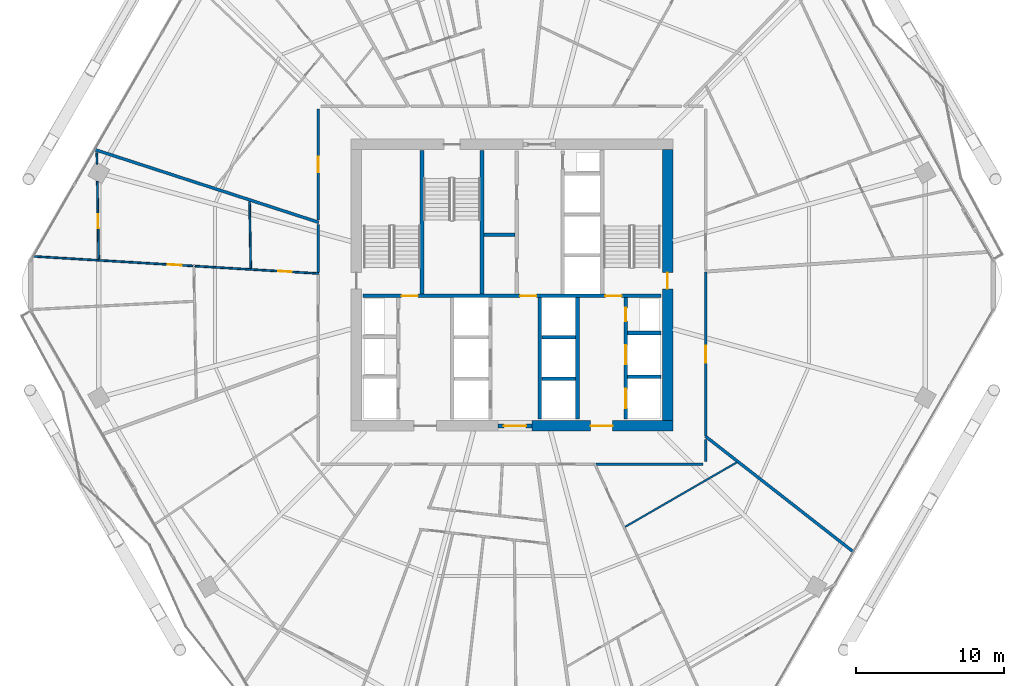
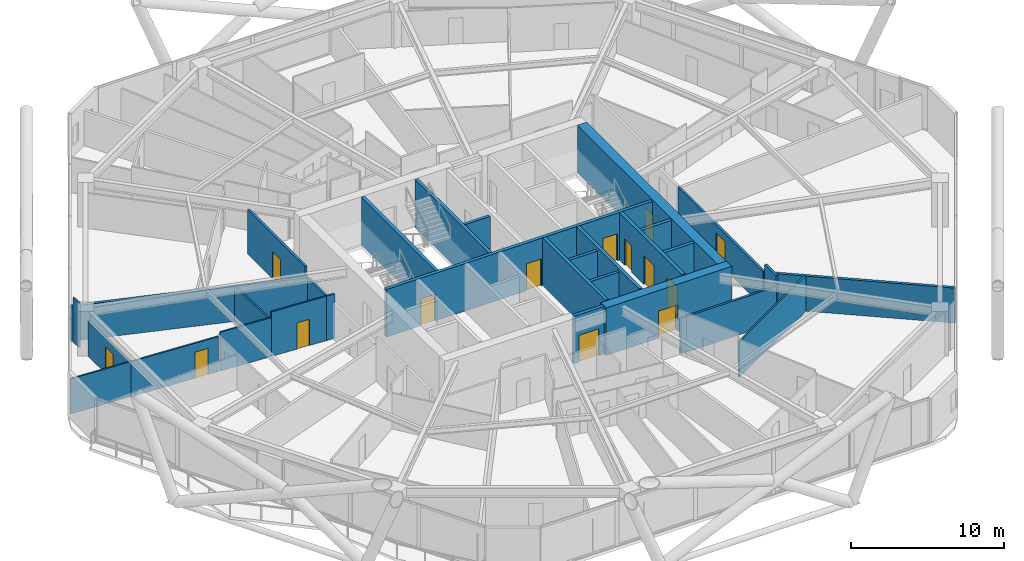
# One storey, part 28 of 34: 30 walls, 14 doors, 14 openings.
"""IFC4 building model written with IfcOpenShell, lengths in metres."""

from ifc_helpers import new_model, si_unit, direction, frame, frame_2d, origin, place, context, subcontext, project, spatial, rectangle, extrude, material, layer, layer_set, type_object, element, fill, save


model = new_model("IFC4")

# Units and contexts
model_context = context("Model", 3, precision=1e-05, world=origin(), true_north=direction((0.0, 1.0)))
body_context = subcontext(model_context, "Body", "Model", "MODEL_VIEW")
ifc_project = project(units=[si_unit("LENGTHUNIT", "METRE"), si_unit("AREAUNIT", "SQUARE_METRE"), si_unit("VOLUMEUNIT", "CUBIC_METRE"), si_unit("PLANEANGLEUNIT", "RADIAN"), si_unit("MASSUNIT", "GRAM", prefix="KILO")], contexts=[model_context])

# Site, building, storey
site_placement = place(None, origin())
site = spatial("IfcSite", under=ifc_project, at=site_placement, CompositionType="ELEMENT")
building_placement = place(site_placement, origin())
building = spatial("IfcBuilding", under=site, at=building_placement, Name="Zuhravey Tower", CompositionType="ELEMENT")
storey_placement = place(building_placement, frame((0.0, 0.0, 100.0)))
storey = spatial("IfcBuildingStorey", under=building, at=storey_placement, Name="L24", CompositionType="ELEMENT", Elevation=100.0)

# Wall, opening, door
ifc_material_1 = material(Name="Concrete C60/75", Category="concrete")
ifc_layer_1 = layer(ifc_material_1, 0.699951171875)
ifc_layer_set_1 = layer_set([ifc_layer_1], Name="Concrete C60/75")
wall_type_1 = type_object("IfcWallType", Name="Core Shear Wall 700", PredefinedType="SHEAR", material=ifc_layer_set_1)
wall_1_placement = place(storey_placement, frame((37.35009765625, 22.5, 0.0), z_axis=(0.0, 0.0, 1.0), x_axis=(1.0, 0.0, 0.0)))
wall_1 = element("IfcWall", 1, at=wall_1_placement, inside=storey, type_object=wall_type_1, Name="L24 South-East Core Shear Wall CW70", PredefinedType="SHEAR", context=body_context, shape_type="SweptSolid", body=[
    extrude(rectangle(XDim=9.5, YDim=0.699951171875, at=frame_2d((4.75, 0.0))), origin(), (0.0, 0.0, 1.0), 3.800048828125),
])
opening_1_placement = place(wall_1_placement, frame((3.949951171875, 0.0, 0.0)))
opening_1 = element("IfcOpeningElement", 2, at=opening_1_placement, cuts=wall_1, Name="Opening FFD1", PredefinedType="OPENING", context=body_context, shape_type="SweptSolid", body=[
    extrude(rectangle(XDim=1.5, YDim=2.14990234375, at=frame_2d((0.75, 1.074951171875))), frame((0.0, 0.362060546875, 0.0), z_axis=(0.0, -1.0, 0.0), x_axis=(1.0, 0.0, 0.0)), (0.0, 0.0, 1.0), 0.723876953125),
])
ifc_material_2 = material(Name="Galvanised fire-rated steel leaf", Category="steel")
door_type_1 = type_object("IfcDoorType", Name="Firefighting Lobby Double Door 1500x2150", OperationType="DOUBLE_DOOR_SINGLE_SWING", PredefinedType="DOOR", material=ifc_material_2)
door_1_placement = place(opening_1_placement, origin())
door_1 = element("IfcDoor", 3, at=door_1_placement, inside=storey, type_object=door_type_1, Name="L24 Firefighting Lobby East Door", OperationType="DOUBLE_DOOR_SINGLE_SWING", OverallHeight=2.14990234375, OverallWidth=1.5, PredefinedType="DOOR", context=body_context, shape_type="SweptSolid", body=[
    extrude(rectangle(XDim=1.5, YDim=2.14990234375, at=frame_2d((0.75, 1.074951171875))), frame((0.0, 0.02490234375, 0.0), z_axis=(0.0, -1.0, 0.0), x_axis=(1.0, 0.0, 0.0)), (0.0, 0.0, 1.0), 0.050048828125),
])
fill(opening_1, door_1)

wall_2_placement = place(storey_placement, frame((46.5, 22.85009765625, 0.0), z_axis=(0.0, 0.0, 1.0), x_axis=(0.0, 1.0, 0.0)))
wall_2 = element("IfcWall", 4, at=wall_2_placement, inside=storey, type_object=wall_type_1, Name="L24 East Core Shear Wall CW70", PredefinedType="SHEAR", context=body_context, shape_type="SweptSolid", body=[
    extrude(rectangle(XDim=18.2998046875, YDim=0.699951171875, at=frame_2d((9.14990234375, 0.0))), origin(), (0.0, 0.0, 1.0), 3.800048828125),
])
opening_2_placement = place(wall_2_placement, frame((8.89990234375, 0.0, 0.0)))
opening_2 = element("IfcOpeningElement", 5, at=opening_2_placement, cuts=wall_2, Name="Opening STD1", PredefinedType="OPENING", context=body_context, shape_type="SweptSolid", body=[
    extrude(rectangle(XDim=1.10009765625, YDim=2.14990234375, at=frame_2d((0.550048828125, 1.074951171875))), frame((0.0, 0.362060546875, 0.0), z_axis=(0.0, -1.0, 0.0), x_axis=(1.0, 0.0, 0.0)), (0.0, 0.0, 1.0), 0.723876953125),
])
door_type_2 = type_object("IfcDoorType", Name="Protected Stair Fire Door 1100x2150", OperationType="NOTDEFINED", PredefinedType="USERDEFINED", material=ifc_material_2)
door_2_placement = place(opening_2_placement, origin())
door_2 = element("IfcDoor", 6, at=door_2_placement, inside=storey, type_object=door_type_2, Name="L24 Stair ST2 Door", ObjectType="EXITDOOR", OperationType="SINGLE_SWING_LEFT", OverallHeight=2.14990234375, OverallWidth=1.10009765625, PredefinedType="USERDEFINED", context=body_context, shape_type="SweptSolid", body=[
    extrude(rectangle(XDim=1.10009765625, YDim=2.14990234375, at=frame_2d((0.550048828125, 1.074951171875))), frame((0.0, 0.02490234375, 0.0), z_axis=(0.0, -1.0, 0.0), x_axis=(1.0, 0.0, 0.0)), (0.0, 0.0, 1.0), 0.050048828125),
])
fill(opening_2, door_2)

ifc_material_3 = material(Name="Gypsum fire-rated stud partition")
ifc_layer_2 = layer(ifc_material_3, 0.159912109375)
ifc_layer_set_2 = layer_set([ifc_layer_2], Name="Gypsum fire-rated stud partition")
wall_type_2 = type_object("IfcWallType", Name="Corridor Fire Partition 160", PredefinedType="PARTITIONING", material=ifc_layer_set_2)
wall_3_placement = place(storey_placement, frame((22.919921875, 43.89990234375, 0.0), z_axis=(0.0, 0.0, 1.0), x_axis=(0.0, -1.0, 0.0)))
wall_3 = element("IfcWall", 7, at=wall_3_placement, inside=storey, type_object=wall_type_2, Name="L24 IW16 Partition 040", PredefinedType="PARTITIONING", context=body_context, shape_type="SweptSolid", body=[
    extrude(rectangle(XDim=7.502197265625, YDim=0.159912109375, at=frame_2d((3.7509765625, 0.0))), origin(), (0.0, 0.0, 1.0), 3.550048828125),
])
opening_3_placement = place(wall_3_placement, frame((3.226318359375, 0.0, 0.0)))
opening_3 = element("IfcOpeningElement", 8, at=opening_3_placement, cuts=wall_3, Name="Opening APD1", PredefinedType="OPENING", context=body_context, shape_type="SweptSolid", body=[
    extrude(rectangle(XDim=1.050048828125, YDim=2.14990234375, at=frame_2d((0.52490234375, 1.074951171875))), frame((0.0, 0.092041015625, 0.0), z_axis=(0.0, -1.0, 0.0), x_axis=(1.0, 0.0, 0.0)), (0.0, 0.0, 1.0), 0.183837890625),
])
ifc_material_4 = material(Name="Solid-core oak fire-rated leaf")
door_type_3 = type_object("IfcDoorType", Name="Apartment Entrance Fire Door 1050x2150", OperationType="NOTDEFINED", PredefinedType="DOOR", material=ifc_material_4)
door_3_placement = place(opening_3_placement, frame((1.050048828125, 0.0, 0.0), z_axis=(0.0, 0.0, 1.0), x_axis=(-1.0, 0.0, 0.0)))
door_3 = element("IfcDoor", 9, at=door_3_placement, inside=storey, type_object=door_type_3, Name="L24 Door 040.1", OperationType="SINGLE_SWING_RIGHT", OverallHeight=2.14990234375, OverallWidth=1.050048828125, PredefinedType="DOOR", context=body_context, shape_type="SweptSolid", body=[
    extrude(rectangle(XDim=1.050048828125, YDim=2.14990234375, at=frame_2d((0.52490234375, 1.074951171875))), frame((0.0, 0.02490234375, 0.0), z_axis=(0.0, -1.0, 0.0), x_axis=(1.0, 0.0, 0.0)), (0.0, 0.0, 1.0), 0.050048828125),
])
fill(opening_3, door_3)

wall_4_placement = place(storey_placement, frame((49.080078125, 21.80615234375, 0.0), z_axis=(0.0, 0.0, 1.0), x_axis=(0.0, 1.0, 0.0)))
wall_4 = element("IfcWall", 10, at=wall_4_placement, inside=storey, type_object=wall_type_2, Name="L24 IW16 Partition 061", PredefinedType="PARTITIONING", context=body_context, shape_type="SweptSolid", body=[
    extrude(rectangle(XDim=11.08837890625, YDim=0.159912109375, at=frame_2d((5.544189453125, 0.0))), origin(), (0.0, 0.0, 1.0), 2.85009765625),
])
opening_4_placement = place(wall_4_placement, frame((4.96923828125, 0.0, 0.0)))
opening_4 = element("IfcOpeningElement", 11, at=opening_4_placement, cuts=wall_4, Name="Opening CLD1", PredefinedType="OPENING", context=body_context, shape_type="SweptSolid", body=[
    extrude(rectangle(XDim=1.14990234375, YDim=2.199951171875, at=frame_2d((0.574951171875, 1.10009765625))), frame((0.0, 0.092041015625, 0.0), z_axis=(0.0, -1.0, 0.0), x_axis=(1.0, 0.0, 0.0)), (0.0, 0.0, 1.0), 0.183837890625),
])
ifc_material_5 = material(Name="Acoustic timber leaf with vision lite", Category="wood")
door_type_4 = type_object("IfcDoorType", Name="Classroom Acoustic Door 1150x2200", OperationType="NOTDEFINED", PredefinedType="DOOR", material=ifc_material_5)
door_4_placement = place(opening_4_placement, frame((1.14990234375, 0.0, 0.0), z_axis=(0.0, 0.0, 1.0), x_axis=(-1.0, 0.0, 0.0)))
door_4 = element("IfcDoor", 12, at=door_4_placement, inside=storey, type_object=door_type_4, Name="L24 Door 061.1", OperationType="SINGLE_SWING_LEFT", OverallHeight=2.199951171875, OverallWidth=1.14990234375, PredefinedType="DOOR", context=body_context, shape_type="SweptSolid", body=[
    extrude(rectangle(XDim=1.14990234375, YDim=2.199951171875, at=frame_2d((0.574951171875, 1.10009765625))), frame((0.0, 0.02490234375, 0.0), z_axis=(0.0, -1.0, 0.0), x_axis=(1.0, 0.0, 0.0)), (0.0, 0.0, 1.0), 0.050048828125),
])
fill(opening_4, door_4)

# Walls
wall_5_placement = place(storey_placement, frame((22.919921875, 36.10302734375, 0.0), z_axis=(0.0, 0.0, 1.0), x_axis=(0.0, -1.0, 0.0)))
element("IfcWall", 13, at=wall_5_placement, inside=storey, type_object=wall_type_2, Name="L24 IW16 Partition 126", PredefinedType="PARTITIONING", context=body_context, shape_type="SweptSolid", body=[
    extrude(rectangle(XDim=3.24853515625, YDim=0.159912109375, at=frame_2d((1.624267578125, 0.0))), origin(), (0.0, 0.0, 1.0), 2.85009765625),
])
wall_6_placement = place(storey_placement, frame((41.6669921875, 19.919921875, 0.0), z_axis=(0.0, 0.0, 1.0), x_axis=(1.0, 0.0, 0.0)))
element("IfcWall", 14, at=wall_6_placement, inside=storey, type_object=wall_type_2, Name="L24 IW16 Partition 131", PredefinedType="PARTITIONING", context=body_context, shape_type="SweptSolid", body=[
    extrude(rectangle(XDim=7.23291015625, YDim=0.159912109375, at=frame_2d((3.616455078125, 0.0))), origin(), (0.0, 0.0, 1.0), 2.85009765625),
])
wall_7_placement = place(storey_placement, frame((49.080078125, 20.10009765625, 0.0), z_axis=(0.0, 0.0, 1.0), x_axis=(0.0, 1.0, 0.0)))
element("IfcWall", 15, at=wall_7_placement, inside=storey, type_object=wall_type_2, Name="L24 IW16 Partition 132", PredefinedType="PARTITIONING", context=body_context, shape_type="SweptSolid", body=[
    extrude(rectangle(XDim=1.469970703125, YDim=0.159912109375, at=frame_2d((0.73486328125, 0.0))), origin(), (0.0, 0.0, 1.0), 3.550048828125),
])

# Wall, opening, door
ifc_material_6 = material(Name="Concrete C50/60", Category="concrete")
ifc_layer_3 = layer(ifc_material_6, 0.25)
ifc_layer_set_3 = layer_set([ifc_layer_3], Name="Concrete C50/60")
wall_type_3 = type_object("IfcWallType", Name="Firefighting Shaft & Stair Wall 250", PredefinedType="SOLIDWALL", material=ifc_layer_set_3)
wall_8_placement = place(storey_placement, frame((35.06005859375, 22.5, 0.0), z_axis=(0.0, 0.0, 1.0), x_axis=(1.0, 0.0, 0.0)))
wall_8 = element("IfcWall", 16, at=wall_8_placement, inside=storey, type_object=wall_type_3, Name="L24 FW25 Shaft Wall 001", PredefinedType="SOLIDWALL", context=body_context, shape_type="SweptSolid", body=[
    extrude(rectangle(XDim=2.280029296875, YDim=0.25, at=frame_2d((1.14013671875, 0.0))), origin(), (0.0, 0.0, 1.0), 3.800048828125),
])
opening_5_placement = place(wall_8_placement, frame((0.389892578125, 0.0, 0.0)))
opening_5 = element("IfcOpeningElement", 17, at=opening_5_placement, cuts=wall_8, Name="Opening FFD1", PredefinedType="OPENING", context=body_context, shape_type="SweptSolid", body=[
    extrude(rectangle(XDim=1.5, YDim=2.14990234375, at=frame_2d((0.75, 1.074951171875))), frame((0.0, 0.136962890625, 0.0), z_axis=(0.0, -1.0, 0.0), x_axis=(1.0, 0.0, 0.0)), (0.0, 0.0, 1.0), 0.27392578125),
])
door_5_placement = place(opening_5_placement, frame((1.5, 0.0, 0.0), z_axis=(0.0, 0.0, 1.0), x_axis=(-1.0, 0.0, 0.0)))
door_5 = element("IfcDoor", 18, at=door_5_placement, inside=storey, type_object=door_type_1, Name="L24 South Lift Lobby Exit Door", OperationType="DOUBLE_DOOR_SINGLE_SWING", OverallHeight=2.14990234375, OverallWidth=1.5, PredefinedType="DOOR", context=body_context, shape_type="SweptSolid", body=[
    extrude(rectangle(XDim=1.5, YDim=2.14990234375, at=frame_2d((0.75, 1.074951171875))), frame((0.0, 0.02490234375, 0.0), z_axis=(0.0, -1.0, 0.0), x_axis=(1.0, 0.0, 0.0)), (0.0, 0.0, 1.0), 0.050048828125),
])
fill(opening_5, door_5)

# Wall, openings, doors
wall_9_placement = place(storey_placement, frame((25.949951171875, 31.27490234375, 0.0), z_axis=(0.0, 0.0, 1.0), x_axis=(1.0, 0.0, 0.0)))
wall_9 = element("IfcWall", 19, at=wall_9_placement, inside=storey, type_object=wall_type_3, Name="L24 FW25 Shaft Wall 003", PredefinedType="SOLIDWALL", context=body_context, shape_type="SweptSolid", body=[
    extrude(rectangle(XDim=20.10009765625, YDim=0.25, at=frame_2d((10.050048828125, 0.0))), origin(), (0.0, 0.0, 1.0), 3.800048828125),
])
opening_6_placement = place(wall_9_placement, frame((2.60009765625, 0.0, 0.0)))
opening_6 = element("IfcOpeningElement", 20, at=opening_6_placement, cuts=wall_9, Name="Opening STD1", PredefinedType="OPENING", context=body_context, shape_type="SweptSolid", body=[
    extrude(rectangle(XDim=1.10009765625, YDim=2.14990234375, at=frame_2d((0.550048828125, 1.074951171875))), frame((0.0, 0.136962890625, 0.0), z_axis=(0.0, -1.0, 0.0), x_axis=(1.0, 0.0, 0.0)), (0.0, 0.0, 1.0), 0.27392578125),
])
opening_7_placement = place(wall_9_placement, frame((10.60009765625, 0.0, 0.0)))
opening_7 = element("IfcOpeningElement", 21, at=opening_7_placement, cuts=wall_9, Name="Opening STD1", PredefinedType="OPENING", context=body_context, shape_type="SweptSolid", body=[
    extrude(rectangle(XDim=1.10009765625, YDim=2.14990234375, at=frame_2d((0.550048828125, 1.074951171875))), frame((0.0, 0.136962890625, 0.0), z_axis=(0.0, -1.0, 0.0), x_axis=(1.0, 0.0, 0.0)), (0.0, 0.0, 1.0), 0.27392578125),
])
opening_8_placement = place(wall_9_placement, frame((16.35009765625, 0.0, 0.0)))
opening_8 = element("IfcOpeningElement", 22, at=opening_8_placement, cuts=wall_9, Name="Opening STD1", PredefinedType="OPENING", context=body_context, shape_type="SweptSolid", body=[
    extrude(rectangle(XDim=1.10009765625, YDim=2.14990234375, at=frame_2d((0.550048828125, 1.074951171875))), frame((0.0, 0.136962890625, 0.0), z_axis=(0.0, -1.0, 0.0), x_axis=(1.0, 0.0, 0.0)), (0.0, 0.0, 1.0), 0.27392578125),
])
door_6_placement = place(opening_6_placement, origin())
door_6 = element("IfcDoor", 23, at=door_6_placement, inside=storey, type_object=door_type_2, Name="L24 FFL-W to ST1 Door", ObjectType="EXITDOOR", OperationType="SINGLE_SWING_LEFT", OverallHeight=2.14990234375, OverallWidth=1.10009765625, PredefinedType="USERDEFINED", context=body_context, shape_type="SweptSolid", body=[
    extrude(rectangle(XDim=1.10009765625, YDim=2.14990234375, at=frame_2d((0.550048828125, 1.074951171875))), frame((0.0, 0.02490234375, 0.0), z_axis=(0.0, -1.0, 0.0), x_axis=(1.0, 0.0, 0.0)), (0.0, 0.0, 1.0), 0.050048828125),
])
fill(opening_6, door_6)
door_7_placement = place(opening_7_placement, origin())
door_7 = element("IfcDoor", 24, at=door_7_placement, inside=storey, type_object=door_type_2, Name="L24 Core Lobby Link Door", ObjectType="EXITDOOR", OperationType="SINGLE_SWING_RIGHT", OverallHeight=2.14990234375, OverallWidth=1.10009765625, PredefinedType="USERDEFINED", context=body_context, shape_type="SweptSolid", body=[
    extrude(rectangle(XDim=1.10009765625, YDim=2.14990234375, at=frame_2d((0.550048828125, 1.074951171875))), frame((0.0, 0.02490234375, 0.0), z_axis=(0.0, -1.0, 0.0), x_axis=(1.0, 0.0, 0.0)), (0.0, 0.0, 1.0), 0.050048828125),
])
fill(opening_7, door_7)
door_8_placement = place(opening_8_placement, origin())
door_8 = element("IfcDoor", 25, at=door_8_placement, inside=storey, type_object=door_type_2, Name="L24 FFL-E to ST2 Door", ObjectType="EXITDOOR", OperationType="SINGLE_SWING_LEFT", OverallHeight=2.14990234375, OverallWidth=1.10009765625, PredefinedType="USERDEFINED", context=body_context, shape_type="SweptSolid", body=[
    extrude(rectangle(XDim=1.10009765625, YDim=2.14990234375, at=frame_2d((0.550048828125, 1.074951171875))), frame((0.0, 0.02490234375, 0.0), z_axis=(0.0, -1.0, 0.0), x_axis=(1.0, 0.0, 0.0)), (0.0, 0.0, 1.0), 0.050048828125),
])
fill(opening_8, door_8)

# Walls
for number, where, z_axis, x_axis, name in (
    (26, (29.925048828125, 31.39990234375, 0.0), (0.0, 0.0, 1.0), (0.0, 1.0, 0.0), "L24 FW25 Shaft Wall 004"),
    (27, (33.97509765625, 31.39990234375, 0.0), (0.0, 0.0, 1.0), (0.0, 1.0, 0.0), "L24 FW25 Shaft Wall 005"),
):
    element("IfcWall", number, at=place(storey_placement, frame(where, z_axis=z_axis, x_axis=x_axis)), inside=storey, type_object=wall_type_3, Name=name, PredefinedType="SOLIDWALL", context=body_context, shape_type="SweptSolid", body=[
        extrude(rectangle(XDim=9.7001953125, YDim=0.25, at=frame_2d((4.85009765625, 0.0))), origin(), (0.0, 0.0, 1.0), 3.800048828125),
    ])
for number, where, z_axis, x_axis, name in (
    (28, (37.875, 22.949951171875, 0.0), (0.0, 0.0, 1.0), (0.0, 1.0, 0.0), "L24 FW25 Shaft Wall 014"),
    (29, (40.425048828125, 22.949951171875, 0.0), (0.0, 0.0, 1.0), (0.0, 1.0, 0.0), "L24 FW25 Shaft Wall 015"),
):
    element("IfcWall", number, at=place(storey_placement, frame(where, z_axis=z_axis, x_axis=x_axis)), inside=storey, type_object=wall_type_3, Name=name, PredefinedType="SOLIDWALL", context=body_context, shape_type="SweptSolid", body=[
        extrude(rectangle(XDim=8.199951171875, YDim=0.25, at=frame_2d((4.10009765625, 0.0))), origin(), (0.0, 0.0, 1.0), 3.800048828125),
    ])
for number, where, z_axis, x_axis, name in (
    (30, (43.800048828125, 25.824951171875, 0.0), (0.0, 0.0, 1.0), (1.0, 0.0, 0.0), "L24 FW25 Shaft Wall 016"),
    (31, (43.800048828125, 28.77490234375, 0.0), (0.0, 0.0, 1.0), (1.0, 0.0, 0.0), "L24 FW25 Shaft Wall 017"),
):
    element("IfcWall", number, at=place(storey_placement, frame(where, z_axis=z_axis, x_axis=x_axis)), inside=storey, type_object=wall_type_3, Name=name, PredefinedType="SOLIDWALL", context=body_context, shape_type="SweptSolid", body=[
        extrude(rectangle(XDim=2.25, YDim=0.25, at=frame_2d((1.125, 0.0))), origin(), (0.0, 0.0, 1.0), 3.800048828125),
    ])

# Wall, openings, doors
wall_10_placement = place(storey_placement, frame((43.675048828125, 22.949951171875, 0.0), z_axis=(0.0, 0.0, 1.0), x_axis=(0.0, 1.0, 0.0)))
wall_10 = element("IfcWall", 32, at=wall_10_placement, inside=storey, type_object=wall_type_3, Name="L24 FW25 Shaft Wall 018", PredefinedType="SOLIDWALL", context=body_context, shape_type="SweptSolid", body=[
    extrude(rectangle(XDim=8.199951171875, YDim=0.25, at=frame_2d((4.10009765625, 0.0))), origin(), (0.0, 0.0, 1.0), 3.800048828125),
])
opening_9_placement = place(wall_10_placement, frame((0.75, 0.0, 0.0)))
opening_9 = element("IfcOpeningElement", 33, at=opening_9_placement, cuts=wall_10, Name="Opening LD2", PredefinedType="OPENING", context=body_context, shape_type="SweptSolid", body=[
    extrude(rectangle(XDim=1.300048828125, YDim=2.300048828125, at=frame_2d((0.64990234375, 1.14990234375))), frame((0.0, 0.136962890625, 0.0), z_axis=(0.0, -1.0, 0.0), x_axis=(1.0, 0.0, 0.0)), (0.0, 0.0, 1.0), 0.27392578125),
])
opening_10_placement = place(wall_10_placement, frame((3.699951171875, 0.0, 0.0)))
opening_10 = element("IfcOpeningElement", 34, at=opening_10_placement, cuts=wall_10, Name="Opening LD2", PredefinedType="OPENING", context=body_context, shape_type="SweptSolid", body=[
    extrude(rectangle(XDim=1.300048828125, YDim=2.300048828125, at=frame_2d((0.64990234375, 1.14990234375))), frame((0.0, 0.136962890625, 0.0), z_axis=(0.0, -1.0, 0.0), x_axis=(1.0, 0.0, 0.0)), (0.0, 0.0, 1.0), 0.27392578125),
])
opening_11_placement = place(wall_10_placement, frame((6.6201171875, 0.0, 0.0)))
opening_11 = element("IfcOpeningElement", 35, at=opening_11_placement, cuts=wall_10, Name="Opening RSD1", PredefinedType="OPENING", context=body_context, shape_type="SweptSolid", body=[
    extrude(rectangle(XDim=0.89990234375, YDim=2.10009765625, at=frame_2d((0.449951171875, 1.050048828125))), frame((0.0, 0.136962890625, 0.0), z_axis=(0.0, -1.0, 0.0), x_axis=(1.0, 0.0, 0.0)), (0.0, 0.0, 1.0), 0.27392578125),
])
ifc_material_7 = material(Name="Brushed stainless steel", Category="steel")
door_type_5 = type_object("IfcDoorType", Name="Freight & Stretcher Lift Sliding Door 1300x2300", OperationType="DOUBLE_DOOR_SLIDING", PredefinedType="DOOR", material=ifc_material_7)
door_9_placement = place(opening_9_placement, origin())
door_9 = element("IfcDoor", 36, at=door_9_placement, inside=storey, type_object=door_type_5, Name="L24 Lift FF2 Landing Door", OperationType="DOUBLE_DOOR_SLIDING", OverallHeight=2.300048828125, OverallWidth=1.300048828125, PredefinedType="DOOR", context=body_context, shape_type="SweptSolid", body=[
    extrude(rectangle(XDim=1.300048828125, YDim=2.300048828125, at=frame_2d((0.64990234375, 1.14990234375))), frame((0.0, 0.02490234375, 0.0), z_axis=(0.0, -1.0, 0.0), x_axis=(1.0, 0.0, 0.0)), (0.0, 0.0, 1.0), 0.050048828125),
])
fill(opening_9, door_9)
door_10_placement = place(opening_10_placement, origin())
door_10 = element("IfcDoor", 37, at=door_10_placement, inside=storey, type_object=door_type_5, Name="L24 Lift SV1 Landing Door", OperationType="DOUBLE_DOOR_SLIDING", OverallHeight=2.300048828125, OverallWidth=1.300048828125, PredefinedType="DOOR", context=body_context, shape_type="SweptSolid", body=[
    extrude(rectangle(XDim=1.300048828125, YDim=2.300048828125, at=frame_2d((0.64990234375, 1.14990234375))), frame((0.0, 0.02490234375, 0.0), z_axis=(0.0, -1.0, 0.0), x_axis=(1.0, 0.0, 0.0)), (0.0, 0.0, 1.0), 0.050048828125),
])
fill(opening_10, door_10)
ifc_material_8 = material(Name="Galvanised fire-rated steel access leaf", Category="steel")
door_type_6 = type_object("IfcDoorType", Name="Riser & Shaft Access Fire Door 900x2100", OperationType="NOTDEFINED", PredefinedType="DOOR", material=ifc_material_8)
door_11_placement = place(opening_11_placement, origin())
door_11 = element("IfcDoor", 38, at=door_11_placement, inside=storey, type_object=door_type_6, Name="L24 Plumbing Riser Door", OperationType="SINGLE_SWING_LEFT", OverallHeight=2.10009765625, OverallWidth=0.89990234375, PredefinedType="DOOR", context=body_context, shape_type="SweptSolid", body=[
    extrude(rectangle(XDim=0.89990234375, YDim=2.10009765625, at=frame_2d((0.449951171875, 1.050048828125))), frame((0.0, 0.02490234375, 0.0), z_axis=(0.0, -1.0, 0.0), x_axis=(1.0, 0.0, 0.0)), (0.0, 0.0, 1.0), 0.050048828125),
])
fill(opening_11, door_11)

# Walls
ifc_material_9 = material(Name="Gypsum double-stud party assembly")
ifc_layer_4 = layer(ifc_material_9, 0.199951171875)
ifc_layer_set_4 = layer_set([ifc_layer_4], Name="Gypsum double-stud party assembly")
wall_type_4 = type_object("IfcWallType", Name="Inter-Tenancy Party Wall 200", PredefinedType="PARTITIONING", material=ifc_layer_set_4)
wall_11_placement = place(storey_placement, frame((22.9599609375, 36.237060546875, 0.0), z_axis=(0.0, 0.0, 1.0), x_axis=(-0.95105675479, 0.309016260362, 0.0)))
element("IfcWall", 39, at=wall_11_placement, inside=storey, type_object=wall_type_4, Name="L24 IW20 Partition 094", PredefinedType="PARTITIONING", context=body_context, shape_type="SweptSolid", body=[
    extrude(rectangle(XDim=15.894287109375, YDim=0.199951171875, at=frame_2d((7.947265625, 0.0))), origin(), (0.0, 0.0, 1.0), 2.800048828125),
])
wall_12_placement = place(storey_placement, frame((49.04736328125, 21.80615234375, 0.0), z_axis=(0.0, 0.0, 1.0), x_axis=(0.788008325787, -0.61566458278, 0.0)))
element("IfcWall", 40, at=wall_12_placement, inside=storey, type_object=wall_type_4, Name="L24 IW20 Partition 118", PredefinedType="PARTITIONING", context=body_context, shape_type="SweptSolid", body=[
    extrude(rectangle(XDim=12.685546875, YDim=0.199951171875, at=frame_2d((6.3427734375, 0.0))), origin(), (0.0, 0.0, 1.0), 2.800048828125),
])
ifc_material_10 = material(Name="Gypsum acoustic stud assembly")
ifc_layer_5 = layer(ifc_material_10, 0.219970703125)
ifc_layer_set_5 = layer_set([ifc_layer_5], Name="Gypsum acoustic stud assembly")
wall_type_5 = type_object("IfcWallType", Name="School Acoustic Compartment Wall 220", PredefinedType="PARTITIONING", material=ifc_layer_set_5)
wall_13_placement = place(storey_placement, frame((34.10791015625, 35.39990234375, 0.0), z_axis=(0.0, 0.0, 1.0), x_axis=(1.0, 0.0, 0.0)))
element("IfcWall", 41, at=wall_13_placement, inside=storey, type_object=wall_type_5, Name="L24 IW22 Partition 062", PredefinedType="PARTITIONING", context=body_context, shape_type="SweptSolid", body=[
    extrude(rectangle(XDim=2.083984375, YDim=0.219970703125, at=frame_2d((1.0419921875, 0.0))), origin(), (0.0, 0.0, 1.0), 3.550048828125),
])
for number, where, z_axis, x_axis, name in (
    (42, (38.008056640625, 25.675048828125, 0.0), (0.0, 0.0, 1.0), (1.0, 0.0, 0.0), "L24 IW22 Partition 068"),
    (43, (38.008056640625, 28.47509765625, 0.0), (0.0, 0.0, 1.0), (1.0, 0.0, 0.0), "L24 IW22 Partition 069"),
):
    element("IfcWall", number, at=place(storey_placement, frame(where, z_axis=z_axis, x_axis=x_axis)), inside=storey, type_object=wall_type_5, Name=name, PredefinedType="PARTITIONING", context=body_context, shape_type="SweptSolid", body=[
        extrude(rectangle(XDim=2.283935546875, YDim=0.219970703125, at=frame_2d((1.14208984375, 0.0))), origin(), (0.0, 0.0, 1.0), 3.550048828125),
    ])

# Wall, opening, door
ifc_material_11 = material(Name="Gypsum metal-stud partition")
ifc_layer_6 = layer(ifc_material_11, 0.1201171875)
ifc_layer_set_6 = layer_set([ifc_layer_6], Name="Gypsum metal-stud partition")
wall_type_6 = type_object("IfcWallType", Name="Unit Internal Partition 120", PredefinedType="PARTITIONING", material=ifc_layer_set_6)
wall_14_placement = place(storey_placement, frame((22.35009765625, 32.820556640625, 0.0), z_axis=(0.0, 0.0, 1.0), x_axis=(-0.998200406844, 0.059966221967, 0.0)))
wall_14 = element("IfcWall", 44, at=wall_14_placement, inside=storey, type_object=wall_type_6, Name="L24 IW12 Partition 042", PredefinedType="PARTITIONING", context=body_context, shape_type="SweptSolid", body=[
    extrude(rectangle(XDim=4.014404296875, YDim=0.1201171875, at=frame_2d((2.00732421875, 0.0))), origin(), (0.0, 0.0, 1.0), 3.550048828125),
])
opening_12_placement = place(wall_14_placement, frame((1.236083984375, 0.0, 0.0)))
opening_12 = element("IfcOpeningElement", 45, at=opening_12_placement, cuts=wall_14, Name="Opening WCD1", PredefinedType="OPENING", context=body_context, shape_type="SweptSolid", body=[
    extrude(rectangle(XDim=0.89990234375, YDim=2.10009765625, at=frame_2d((0.449951171875, 1.050048828125))), frame((0.0, 0.072021484375, 0.0), z_axis=(0.0, -1.0, 0.0), x_axis=(1.0, 0.0, 0.0)), (0.0, 0.0, 1.0), 0.14404296875),
])
ifc_material_12 = material(Name="Moisture-resistant timber leaf", Category="wood")
door_type_7 = type_object("IfcDoorType", Name="Bathroom & WC Internal Door 900x2100", OperationType="NOTDEFINED", PredefinedType="DOOR", material=ifc_material_12)
door_12_placement = place(opening_12_placement, frame((0.89990234375, 0.0, 0.0), z_axis=(0.0, 0.0, 1.0), x_axis=(-1.0, 0.0, 0.0)))
door_12 = element("IfcDoor", 46, at=door_12_placement, inside=storey, type_object=door_type_7, Name="Apartment L24-05 Bathroom Door", OperationType="SINGLE_SWING_LEFT", OverallHeight=2.10009765625, OverallWidth=0.89990234375, PredefinedType="DOOR", context=body_context, shape_type="SweptSolid", body=[
    extrude(rectangle(XDim=0.89990234375, YDim=2.10009765625, at=frame_2d((0.449951171875, 1.050048828125))), frame((0.0, 0.02490234375, 0.0), z_axis=(0.0, -1.0, 0.0), x_axis=(1.0, 0.0, 0.0)), (0.0, 0.0, 1.0), 0.050048828125),
])
fill(opening_12, door_12)

# Wall
wall_15_placement = place(storey_placement, frame((18.343017578125, 33.061279296875, 0.0), z_axis=(0.0, 0.0, 1.0), x_axis=(-0.998197826963, 0.060009151347, 0.0)))
element("IfcWall", 47, at=wall_15_placement, inside=storey, type_object=wall_type_6, Name="L24 IW12 Partition 043", PredefinedType="PARTITIONING", context=body_context, shape_type="SweptSolid", body=[
    extrude(rectangle(XDim=3.7470703125, YDim=0.1201171875, at=frame_2d((1.87353515625, 0.0))), origin(), (0.0, 0.0, 1.0), 3.10009765625),
])

# Wall, opening, door
wall_16_placement = place(storey_placement, frame((14.466796875, 33.29443359375, 0.0), z_axis=(0.0, 0.0, 1.0), x_axis=(-0.998197493237, 0.060014702322, 0.0)))
wall_16 = element("IfcWall", 48, at=wall_16_placement, inside=storey, type_object=wall_type_6, Name="L24 IW12 Partition 044", PredefinedType="PARTITIONING", context=body_context, shape_type="SweptSolid", body=[
    extrude(rectangle(XDim=6.39892578125, YDim=0.1201171875, at=frame_2d((3.199462890625, 0.0))), origin(), (0.0, 0.0, 1.0), 2.800048828125),
])
opening_13_placement = place(wall_16_placement, frame((0.7578125, 0.0, 0.0)))
opening_13 = element("IfcOpeningElement", 49, at=opening_13_placement, cuts=wall_16, Name="Opening IND1", PredefinedType="OPENING", context=body_context, shape_type="SweptSolid", body=[
    extrude(rectangle(XDim=0.949951171875, YDim=2.10009765625, at=frame_2d((0.47509765625, 1.050048828125))), frame((0.0, 0.072021484375, 0.0), z_axis=(0.0, -1.0, 0.0), x_axis=(1.0, 0.0, 0.0)), (0.0, 0.0, 1.0), 0.14404296875),
])
ifc_material_13 = material(Name="Painted engineered timber leaf", Category="wood")
door_type_8 = type_object("IfcDoorType", Name="Internal Room & Bedroom Door 950x2100", OperationType="NOTDEFINED", PredefinedType="DOOR", material=ifc_material_13)
door_13_placement = place(opening_13_placement, frame((0.949951171875, 0.0, 0.0), z_axis=(0.0, 0.0, 1.0), x_axis=(-1.0, 0.0, 0.0)))
door_13 = element("IfcDoor", 50, at=door_13_placement, inside=storey, type_object=door_type_8, Name="Apartment L24-05 Home Office Door", OperationType="SINGLE_SWING_RIGHT", OverallHeight=2.10009765625, OverallWidth=0.949951171875, PredefinedType="DOOR", context=body_context, shape_type="SweptSolid", body=[
    extrude(rectangle(XDim=0.949951171875, YDim=2.10009765625, at=frame_2d((0.47509765625, 1.050048828125))), frame((0.0, 0.02490234375, 0.0), z_axis=(0.0, -1.0, 0.0), x_axis=(1.0, 0.0, 0.0)), (0.0, 0.0, 1.0), 0.050048828125),
])
fill(opening_13, door_13)

wall_17_placement = place(storey_placement, frame((8.010986328125, 39.021484375, 0.0), z_axis=(0.0, 0.0, 1.0), x_axis=(0.017441359141, -0.999847887927, 0.0)))
wall_17 = element("IfcWall", 51, at=wall_17_placement, inside=storey, type_object=wall_type_6, Name="L24 IW12 Partition 045", PredefinedType="PARTITIONING", context=body_context, shape_type="SweptSolid", body=[
    extrude(rectangle(XDim=5.277099609375, YDim=0.1201171875, at=frame_2d((2.638671875, 0.0))), origin(), (0.0, 0.0, 1.0), 2.800048828125),
])
opening_14_placement = place(wall_17_placement, frame((2.247802734375, 0.0, 0.0)))
opening_14 = element("IfcOpeningElement", 52, at=opening_14_placement, cuts=wall_17, Name="Opening IND1", PredefinedType="OPENING", context=body_context, shape_type="SweptSolid", body=[
    extrude(rectangle(XDim=0.949951171875, YDim=2.10009765625, at=frame_2d((0.47509765625, 1.050048828125))), frame((0.0, 0.072021484375, 0.0), z_axis=(0.0, -1.0, 0.0), x_axis=(1.0, 0.0, 0.0)), (0.0, 0.0, 1.0), 0.14404296875),
])
door_14_placement = place(opening_14_placement, frame((0.949951171875, 0.0, 0.0), z_axis=(0.0, 0.0, 1.0), x_axis=(-1.0, 0.0, 0.0)))
door_14 = element("IfcDoor", 53, at=door_14_placement, inside=storey, type_object=door_type_8, Name="Apartment L24-05 Bedroom 1 Door", OperationType="SINGLE_SWING_LEFT", OverallHeight=2.10009765625, OverallWidth=0.949951171875, PredefinedType="DOOR", context=body_context, shape_type="SweptSolid", body=[
    extrude(rectangle(XDim=0.949951171875, YDim=2.10009765625, at=frame_2d((0.47509765625, 1.050048828125))), frame((0.0, 0.02490234375, 0.0), z_axis=(0.0, -1.0, 0.0), x_axis=(1.0, 0.0, 0.0)), (0.0, 0.0, 1.0), 0.050048828125),
])
fill(opening_14, door_14)

# Walls
wall_18_placement = place(storey_placement, frame((22.96484375, 32.78369140625, 0.0), z_axis=(0.0, 0.0, 1.0), x_axis=(-0.998206740996, 0.059860690187, 0.0)))
element("IfcWall", 54, at=wall_18_placement, inside=storey, type_object=wall_type_6, Name="L24 IW12 Partition 096", PredefinedType="PARTITIONING", context=body_context, shape_type="SweptSolid", body=[
    extrude(rectangle(XDim=0.615966796875, YDim=0.1201171875, at=frame_2d((0.30810546875, 0.0))), origin(), (0.0, 0.0, 1.0), 3.550048828125),
])
wall_19_placement = place(storey_placement, frame((8.079345703125, 33.678466796875, 0.0), z_axis=(0.0, 0.0, 1.0), x_axis=(-0.998198281199, 0.060001595079, 0.0)))
element("IfcWall", 55, at=wall_19_placement, inside=storey, type_object=wall_type_6, Name="L24 IW12 Partition 097", PredefinedType="PARTITIONING", context=body_context, shape_type="SweptSolid", body=[
    extrude(rectangle(XDim=4.40673828125, YDim=0.1201171875, at=frame_2d((2.203369140625, 0.0))), origin(), (0.0, 0.0, 1.0), 2.800048828125),
])
wall_20_placement = place(storey_placement, frame((18.2880859375, 37.641357421875, 0.0), z_axis=(0.0, 0.0, 1.0), x_axis=(0.017415945178, -0.999848330925, 0.0)))
element("IfcWall", 56, at=wall_20_placement, inside=storey, type_object=wall_type_6, Name="L24 IW12 Partition 098", PredefinedType="PARTITIONING", context=body_context, shape_type="SweptSolid", body=[
    extrude(rectangle(XDim=4.513916015625, YDim=0.1201171875, at=frame_2d((2.2568359375, 0.0))), origin(), (0.0, 0.0, 1.0), 2.85009765625),
])
wall_21_placement = place(storey_placement, frame((7.9775390625, 40.940185546875, 0.0), z_axis=(0.0, 0.0, 1.0), x_axis=(0.017557656864, -0.999845852462, 0.0)))
element("IfcWall", 57, at=wall_21_placement, inside=storey, type_object=wall_type_6, Name="L24 IW12 Partition 099", PredefinedType="PARTITIONING", context=body_context, shape_type="SweptSolid", body=[
    extrude(rectangle(XDim=0.778564453125, YDim=0.1201171875, at=frame_2d((0.38916015625, 0.0))), origin(), (0.0, 0.0, 1.0), 3.550048828125),
])
wall_22_placement = place(storey_placement, frame((43.628662109375, 15.68212890625, 0.0), z_axis=(0.0, 0.0, 1.0), x_axis=(0.866026296779, 0.499998453285, 0.0)))
element("IfcWall", 58, at=wall_22_placement, inside=storey, type_object=wall_type_6, Name="L24 IW12 Partition 116", PredefinedType="PARTITIONING", context=body_context, shape_type="SweptSolid", body=[
    extrude(rectangle(XDim=8.72900390625, YDim=0.1201171875, at=frame_2d((4.364501953125, 0.0))), origin(), (0.0, 0.0, 1.0), 2.85009765625),
])

save(model, "model.ifc")
